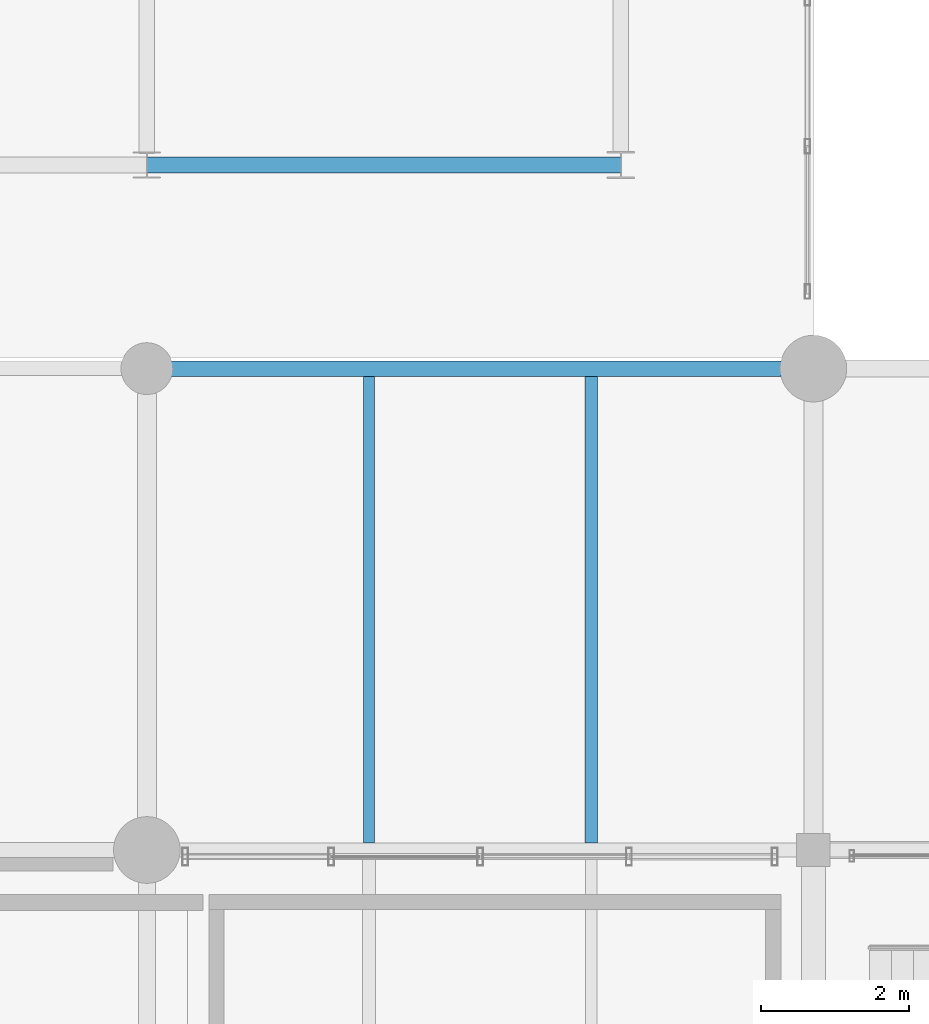
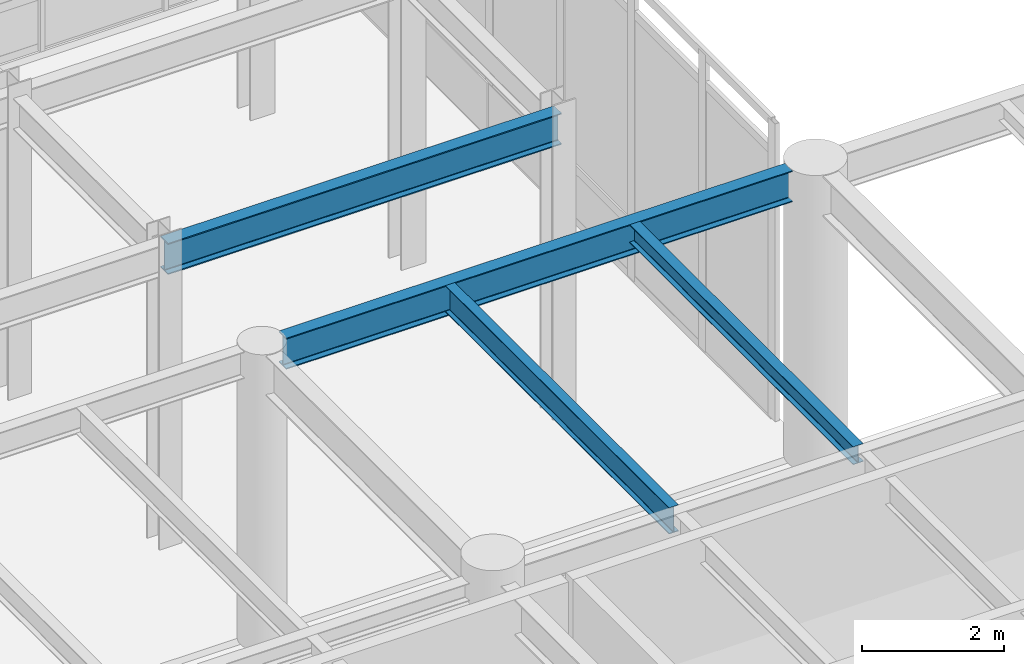
# One storey, part 74 of 203: 4 beams.
"""IFC4 building model written with IfcOpenShell, lengths in metres."""

import ifcopenshell
import ifcopenshell.guid

model = None  # the IFC model being written
_history = None  # IfcOwnerHistory: only IFC2X3 demands one
_inside = {}  # id of a spatial element -> (the spatial element, [elements in it])
_under = {}  # id of a project, library or spatial element -> (it, [spatial elements below it])
_declared = {}  # id of a project -> (the project, [libraries it declares])
_typed = {}  # id of a type object -> (the type object, [elements of that type])
_made_of = {}  # id of a material, layer set ... -> (it, [elements and type objects made of it])


def new_model(schema):
    """Start an empty IFC model of exactly this schema.

    Asked for "IFC4X3", IfcOpenShell would pick the latest addendum, in which some entities
    have other attributes; the version numbers below select the first issue.
    IFC2X3 requires an IfcOwnerHistory on every rooted entity: one is made here for all.
    """
    global model, _history
    if schema == "IFC4X3":
        model = ifcopenshell.file(schema_version=(4, 3, 0, 0))
    else:
        model = ifcopenshell.file(schema=schema)
    _inside.clear()
    _under.clear()
    _declared.clear()
    _typed.clear()
    _made_of.clear()
    _history = None
    if model.schema == "IFC2X3":
        org = make("IfcOrganization", Name="unknown")
        user = make(
            "IfcPersonAndOrganization",
            ThePerson=make("IfcPerson", FamilyName="unknown"),
            TheOrganization=org,
        )
        app = make(
            "IfcApplication",
            ApplicationDeveloper=org,
            Version="unknown",
            ApplicationFullName="unknown",
            ApplicationIdentifier="unknown",
        )
        _history = make(
            "IfcOwnerHistory",
            OwningUser=user,
            OwningApplication=app,
            ChangeAction="ADDED",
            CreationDate=0,
        )
    return model


def make(cls, **values):
    """One entity of the class cls with the attributes given. An attribute that is None is left unset."""
    return model.create_entity(
        cls, **{name: value for name, value in values.items() if value is not None}
    )


def rooted(cls, **values):
    """An entity with a GlobalId (a new one), such as an element, a storey or a relation."""
    return make(cls, GlobalId=ifcopenshell.guid.new(), OwnerHistory=_history, **values)


def si_unit(unit_type, name, prefix=None):
    """IfcSIUnit, for example si_unit("LENGTHUNIT", "METRE", prefix="MILLI")."""
    return make("IfcSIUnit", UnitType=unit_type, Prefix=prefix, Name=name)


def assignment(units):
    """IfcUnitAssignment: the units of a project."""
    return None if units is None else make("IfcUnitAssignment", Units=units)


def point(xyz):
    """IfcCartesianPoint."""
    return None if xyz is None else make("IfcCartesianPoint", Coordinates=xyz)


def direction(xyz):
    """IfcDirection."""
    return None if xyz is None else make("IfcDirection", DirectionRatios=xyz)


def frame(location, z_axis=None, x_axis=None):
    """IfcAxis2Placement3D, a coordinate frame: its origin and axes. An axis left out is left unset."""
    return make(
        "IfcAxis2Placement3D",
        Location=point(location),
        Axis=direction(z_axis),
        RefDirection=direction(x_axis),
    )


def frame_2d(location, x_axis=None):
    """IfcAxis2Placement2D, a coordinate frame in the plane: its origin and x axis."""
    return make(
        "IfcAxis2Placement2D", Location=point(location), RefDirection=direction(x_axis)
    )


def origin():
    """The frame at (0, 0, 0) with its axes left unset."""
    return frame((0.0, 0.0, 0.0))


def origin_2d():
    """The frame at (0, 0) in the plane with its x axis left unset."""
    return frame_2d((0.0, 0.0))


def place(relative_to, where):
    """IfcLocalPlacement: puts the frame where relative to a parent placement (None: the world)."""
    return make(
        "IfcLocalPlacement", PlacementRelTo=relative_to, RelativePlacement=where
    )


def context(
    kind, dimensions, precision=None, world=None, true_north=None, identifier=None
):
    """IfcGeometricRepresentationContext, for example the 3D "Model" context."""
    return make(
        "IfcGeometricRepresentationContext",
        ContextIdentifier=identifier,
        ContextType=kind,
        CoordinateSpaceDimension=dimensions,
        Precision=precision,
        WorldCoordinateSystem=world,
        TrueNorth=true_north,
    )


def subcontext(parent, identifier, kind, view, scale=None):
    """IfcGeometricRepresentationSubContext, for example "Body" below "Model"."""
    return make(
        "IfcGeometricRepresentationSubContext",
        ContextIdentifier=identifier,
        ContextType=kind,
        ParentContext=parent,
        TargetScale=scale,
        TargetView=view,
    )


def project(units=None, contexts=None):
    """IfcProject with its units and contexts."""
    return rooted(
        "IfcProject",
        Name="project",
        RepresentationContexts=contexts,
        UnitsInContext=assignment(units),
    )


def spatial(cls, under=None, at=None, **own):
    """A site, building, storey or space (cls), placed at a placement, below another one or the project."""
    s = rooted(cls, ObjectPlacement=at, **own)
    if under is not None:
        _under.setdefault(under.id(), (under, []))[1].append(s)
    return s


def profile(cls, at=None, kind="AREA", **sizes):
    """A parametric profile (cls). Its sizes go by their IFC names, for example OverallWidth=200.0."""
    return make(cls, ProfileType=kind, Position=at, **sizes)


def i_section(**sizes):
    """IfcIShapeProfileDef."""
    return profile("IfcIShapeProfileDef", **sizes)


def extrude(swept, where, along, depth):
    """IfcExtrudedAreaSolid: the profile swept, set in the frame where, extruded along a direction by depth."""
    return make(
        "IfcExtrudedAreaSolid",
        SweptArea=swept,
        Position=where,
        ExtrudedDirection=direction(along),
        Depth=depth,
    )


def shape(context_of_items, identifier, shape_type, items):
    """IfcShapeRepresentation: the items that make up one representation, for example the "Body"."""
    return make(
        "IfcShapeRepresentation",
        ContextOfItems=context_of_items,
        RepresentationIdentifier=identifier,
        RepresentationType=shape_type,
        Items=items,
    )


def material(Name=None, Category=None):
    """IfcMaterial."""
    return make("IfcMaterial", Name=Name, Category=Category)


def material_profile(
    of_material, cross_section, Name=None, Category=None, Priority=None
):
    """IfcMaterialProfile: a cross section and its material."""
    return make(
        "IfcMaterialProfile",
        Name=Name,
        Material=of_material,
        Profile=cross_section,
        Priority=Priority,
        Category=Category,
    )


def profile_set(profiles, Name=None, composite=None):
    """IfcMaterialProfileSet."""
    return make(
        "IfcMaterialProfileSet",
        Name=Name,
        MaterialProfiles=profiles,
        CompositeProfile=composite,
    )


def made_of(thing, what):
    """Note that an element or type object is made of a material, layer set ...; save() writes the relation."""
    if what is not None:
        _made_of.setdefault(what.id(), (what, []))[1].append(thing)
    return thing


def type_object(cls, material=None, **own):
    """A type object (cls), such as IfcWallType, which elements share."""
    return made_of(rooted(cls, **own), material)


def element(
    cls,
    number,
    at=None,
    inside=None,
    cuts=None,
    type_object=None,
    material=None,
    context=None,
    identifier="Body",
    shape_type=None,
    held_by="IfcProductDefinitionShape",
    body=None,
    shapes=None,
    **own,
):
    """One element of the class cls, such as IfcWall. Its Tag is "e" and its number.

    at: its placement. inside: the storey or other place that contains it. cuts: it is an
    opening in that element (IfcRelVoidsElement). A single representation is given by context,
    identifier, shape_type and body (its items); several are given by shapes. held_by: the class
    of the entity that holds the representations. save() writes the other relations.
    """
    e = rooted(cls, Tag="e%d" % number, ObjectPlacement=at, **own)
    if body is not None:
        shapes = [shape(context, identifier, shape_type, body)]
    if shapes is not None:
        e.Representation = make(held_by, Representations=shapes)
    if inside is not None:
        _inside.setdefault(inside.id(), (inside, []))[1].append(e)
    if cuts is not None:
        rooted(
            "IfcRelVoidsElement", RelatingBuildingElement=cuts, RelatedOpeningElement=e
        )
    if type_object is not None:
        _typed.setdefault(type_object.id(), (type_object, []))[1].append(e)
    return made_of(e, material)


def aggregate(whole, parts):
    """IfcRelAggregates: a whole, such as a stair, and the parts it consists of."""
    return rooted("IfcRelAggregates", RelatingObject=whole, RelatedObjects=parts)


def save(model, path):
    """Write the relations noted so far, then the file.

    IfcRelAggregates (storeys below a building ...), IfcRelContainedInSpatialStructure (elements
    in a storey), IfcRelDefinesByType, IfcRelAssociatesMaterial and IfcRelDeclares: one each for
    every whole, place, type object, material and project.
    """
    for whole, parts in _under.values():
        aggregate(whole, parts)
    for where, things in _inside.values():
        rooted(
            "IfcRelContainedInSpatialStructure",
            RelatedElements=things,
            RelatingStructure=where,
        )
    for kind, things in _typed.values():
        rooted("IfcRelDefinesByType", RelatedObjects=things, RelatingType=kind)
    for what, things in _made_of.values():
        rooted("IfcRelAssociatesMaterial", RelatedObjects=things, RelatingMaterial=what)
    for by, libraries in _declared.values():
        rooted("IfcRelDeclares", RelatingContext=by, RelatedDefinitions=libraries)
    model.write(path)


model = new_model("IFC4")

# Units and contexts
model_context = context("Model", 3, precision=1e-05, world=origin(), true_north=direction((0.0, 1.0)))
body_context = subcontext(model_context, "Body", "Model", "MODEL_VIEW")
ifc_project = project(units=[si_unit("LENGTHUNIT", "METRE"), si_unit("AREAUNIT", "SQUARE_METRE"), si_unit("VOLUMEUNIT", "CUBIC_METRE"), si_unit("PLANEANGLEUNIT", "RADIAN"), si_unit("MASSUNIT", "GRAM", prefix="KILO"), si_unit("THERMODYNAMICTEMPERATUREUNIT", "KELVIN"), si_unit("POWERUNIT", "WATT")], contexts=[model_context])

# Site, building, storey
site_placement = place(None, origin())
site = spatial("IfcSite", under=ifc_project, at=site_placement, CompositionType="ELEMENT")
building_placement = place(site_placement, origin())
building = spatial("IfcBuilding", under=site, at=building_placement, Name="Tepalcoro Natatorium and Aquatics Centre", CompositionType="ELEMENT")
storey_placement = place(building_placement, origin())
storey = spatial("IfcBuildingStorey", under=building, at=storey_placement, Name="L00", CompositionType="ELEMENT", Elevation=0.0)

# Beams
ifc_material = material(Name="Steel ASTM A992 Grade 50 (Fy 345 MPa)", Category="steel")
ifc_material_profile_1 = material_profile(ifc_material, i_section(OverallWidth=0.2109375, OverallDepth=0.5380859375, WebThickness=0.011962890625, FlangeThickness=0.01904296875, FilletRadius=0.013916015625, at=origin_2d()), Name="W21X73")
ifc_profile_set_1 = profile_set([ifc_material_profile_1], Name="Steel ASTM A992 Grade 50 (Fy 345 MPa)")
beam_type_1 = type_object("IfcBeamType", Name="BM_LINK_LB1", PredefinedType="BEAM", material=ifc_profile_set_1)
beam_1_placement = place(storey_placement, frame((62.0, 74.75, 4.89599609375), z_axis=(1.0, 0.0, 0.0), x_axis=(0.0, 1.0, 0.0)))
element("IfcBeam", 1, at=beam_1_placement, inside=storey, type_object=beam_type_1, Name="Seismic passage link beam LB1 (V6NW L00)", PredefinedType="BEAM", context=body_context, shape_type="SweptSolid", body=[
    extrude(i_section(OverallWidth=0.2109375, OverallDepth=0.5380859375, WebThickness=0.011962890625, FlangeThickness=0.01904296875, FilletRadius=0.013916015625, at=origin_2d()), origin(), (0.0, 0.0, 1.0), 6.39990234375),
])
ifc_material_profile_2 = material_profile(ifc_material, i_section(OverallWidth=0.1650390625, OverallDepth=0.31005859375, WebThickness=0.006103515625, FlangeThickness=0.010009765625, FilletRadius=0.013916015625, at=origin_2d()), Name="W12X26")
ifc_profile_set_2 = profile_set([ifc_material_profile_2], Name="Steel ASTM A992 Grade 50 (Fy 345 MPa)")
beam_type_2 = type_object("IfcBeamType", Name="JS_W12x26", PredefinedType="JOIST", material=ifc_profile_set_2)
beam_2_placement = place(storey_placement, frame((68.0, 65.596435546875, 4.929931640625), z_axis=(0.0, 1.0, 0.0), x_axis=(-1.0, 0.0, 0.0)))
element("IfcBeam", 2, at=beam_2_placement, inside=storey, type_object=beam_type_2, Name="V1 L00 Floor Joist", PredefinedType="JOIST", context=body_context, shape_type="SweptSolid", body=[
    extrude(i_section(OverallWidth=0.1650390625, OverallDepth=0.31005859375, WebThickness=0.006103515625, FlangeThickness=0.010009765625, FilletRadius=0.013916015625, at=origin_2d()), origin(), (0.0, 0.0, 1.0), 6.298583984375),
])
ifc_material_profile_3 = material_profile(ifc_material, i_section(OverallWidth=0.153076171875, OverallDepth=0.455078125, WebThickness=0.008056640625, FlangeThickness=0.012939453125, FilletRadius=0.013916015625, at=origin_2d()), Name="W18X40")
ifc_profile_set_3 = profile_set([ifc_material_profile_3], Name="Steel ASTM A992 Grade 50 (Fy 345 MPa)")
beam_type_3 = type_object("IfcBeamType", Name="JS_W18x40", PredefinedType="JOIST", material=ifc_profile_set_3)
beam_3_placement = place(storey_placement, frame((65.0, 65.596435546875, 4.857421875), z_axis=(0.0, 1.0, 0.0), x_axis=(-1.0, 0.0, 0.0)))
element("IfcBeam", 3, at=beam_3_placement, inside=storey, type_object=beam_type_3, Name="V1 L00 Floor Joist", PredefinedType="JOIST", context=body_context, shape_type="SweptSolid", body=[
    extrude(i_section(OverallWidth=0.153076171875, OverallDepth=0.455078125, WebThickness=0.008056640625, FlangeThickness=0.012939453125, FilletRadius=0.013916015625, at=origin_2d()), origin(), (0.0, 0.0, 1.0), 6.298583984375),
])
ifc_material_profile_4 = material_profile(ifc_material, i_section(OverallWidth=0.2099609375, OverallDepth=0.535888671875, WebThickness=0.010986328125, FlangeThickness=0.01708984375, FilletRadius=0.013916015625, at=origin_2d()), Name="W21X68")
ifc_profile_set_4 = profile_set([ifc_material_profile_4], Name="Steel ASTM A992 Grade 50 (Fy 345 MPa)")
beam_type_4 = type_object("IfcBeamType", Name="SP_W21x68", PredefinedType="SPANDREL", material=ifc_profile_set_4)
beam_4_placement = place(storey_placement, frame((62.3349609375, 72.0, 4.81689453125), z_axis=(1.0, 0.0, 0.0), x_axis=(0.0, 1.0, 0.0)))
element("IfcBeam", 4, at=beam_4_placement, inside=storey, type_object=beam_type_4, Name="V1 L00 Grid Girder X", PredefinedType="SPANDREL", context=body_context, shape_type="SweptSolid", body=[
    extrude(i_section(OverallWidth=0.2099609375, OverallDepth=0.535888671875, WebThickness=0.010986328125, FlangeThickness=0.01708984375, FilletRadius=0.013916015625, at=origin_2d()), origin(), (0.0, 0.0, 1.0), 8.22998046875),
])

save(model, "model.ifc")
